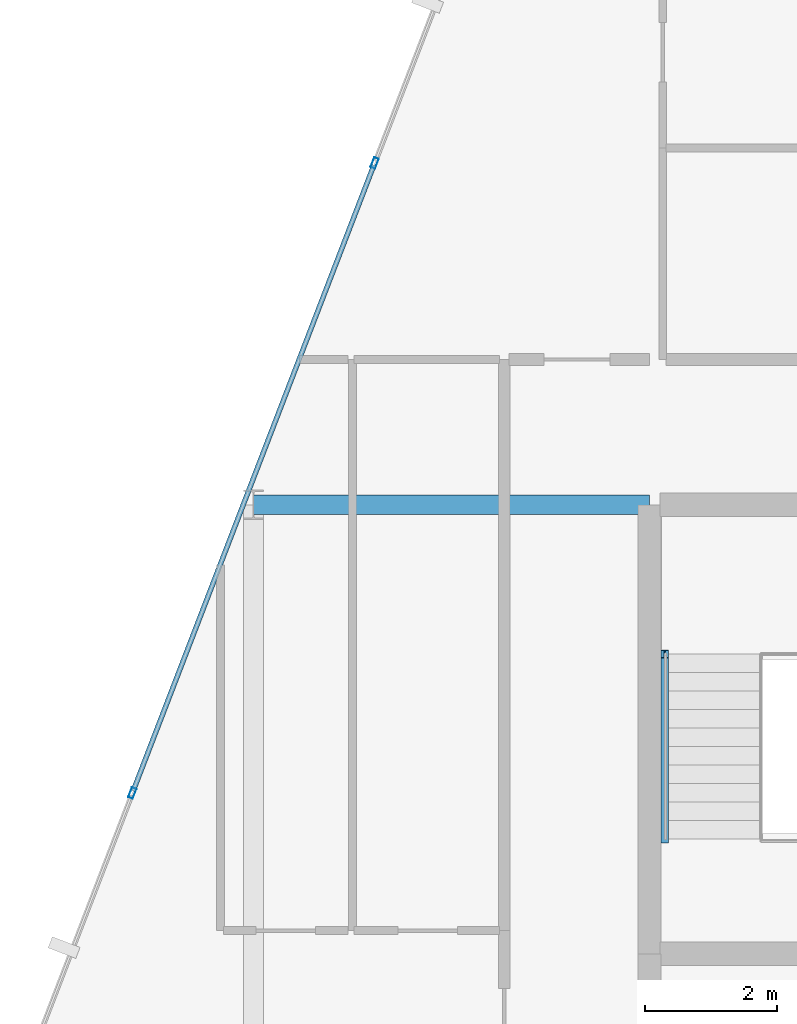
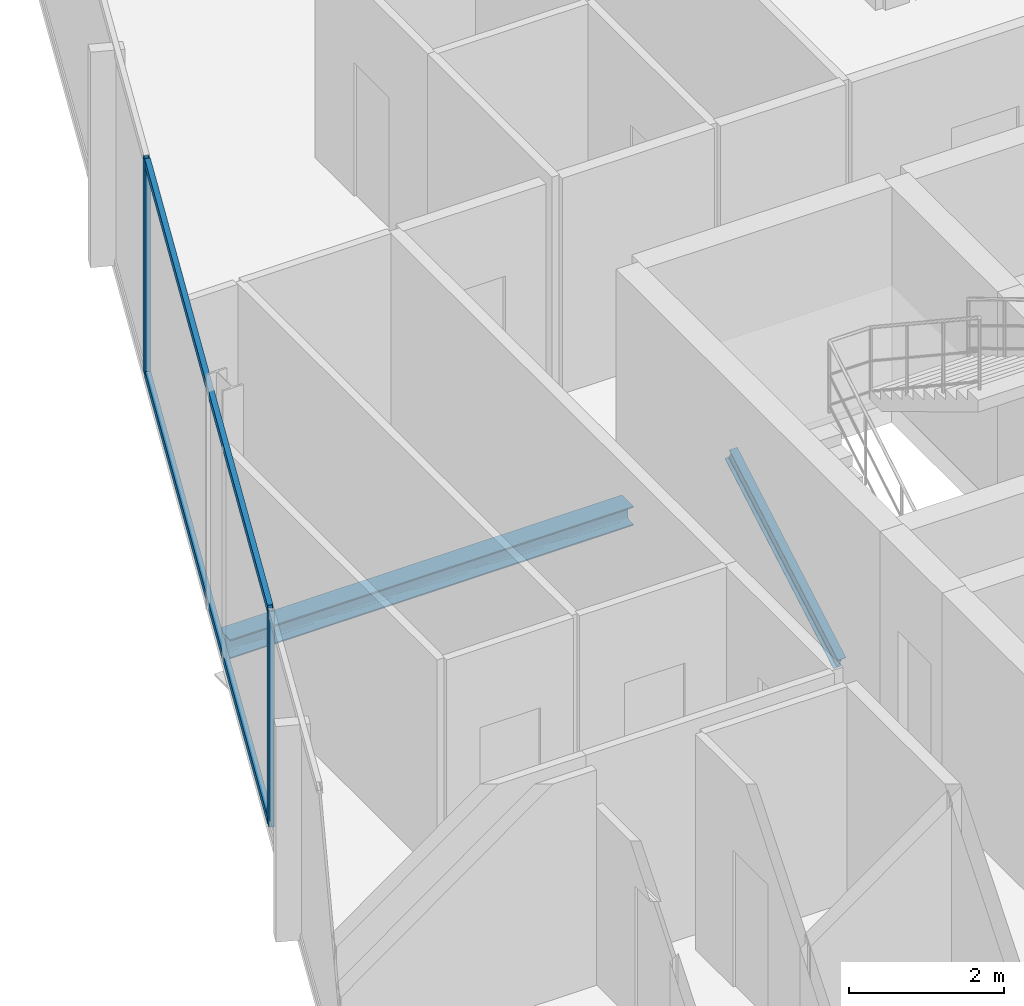
# One storey, part 16 of 29: 5 members, 1 beam, 1 element without a shape of its own.
"""IFC4 building model written with IfcOpenShell, lengths in metres."""

from ifc_helpers import new_model, si_unit, direction, frame, origin, origin_2d, place, context, subcontext, project, spatial, hollow_rectangle, i_section, extrude, material, layer, layer_set, material_profile, profile_set, type_object, element, aggregate, save


model = new_model("IFC4")

# Units and contexts
model_context = context("Model", 3, precision=1e-05, world=origin(), true_north=direction((0.0, 1.0)))
body_context = subcontext(model_context, "Body", "Model", "MODEL_VIEW")
ifc_project = project(units=[si_unit("LENGTHUNIT", "METRE"), si_unit("AREAUNIT", "SQUARE_METRE"), si_unit("VOLUMEUNIT", "CUBIC_METRE"), si_unit("PLANEANGLEUNIT", "RADIAN"), si_unit("MASSUNIT", "GRAM", prefix="KILO")], contexts=[model_context])

# Site, building, storey
site_placement = place(None, origin())
site = spatial("IfcSite", under=ifc_project, at=site_placement, CompositionType="ELEMENT")
building_placement = place(site_placement, origin())
building = spatial("IfcBuilding", under=site, at=building_placement, Name="Keshet Zoharim Tower", CompositionType="ELEMENT")
storey_placement = place(building_placement, frame((0.0, 0.0, 210.60009765625)))
storey = spatial("IfcBuildingStorey", under=building, at=storey_placement, Name="L52", CompositionType="ELEMENT", Elevation=210.60009765625)

# Beam
ifc_material_1 = material(Name="Steel S355", Category="steel")
ifc_material_profile_1 = material_profile(ifc_material_1, i_section(OverallWidth=0.300048828125, OverallDepth=0.300048828125, WebThickness=0.010986328125, FlangeThickness=0.01904296875, FilletRadius=0.027099609375, at=origin_2d()), Name="HEB300")
ifc_profile_set_1 = profile_set([ifc_material_profile_1], Name="Steel S355")
beam_type = type_object("IfcBeamType", Name="BM-PRI-HB300", PredefinedType="BEAM", material=ifc_profile_set_1)
beam_placement = place(storey_placement, frame((9.0, 37.89990234375, -0.460205078125), z_axis=(1.0, 0.0, 0.0), x_axis=(0.0, 1.0, 0.0)))
element("IfcBeam", 1, at=beam_placement, inside=storey, type_object=beam_type, Name="L52 Primary Girder X-017", PredefinedType="BEAM", context=body_context, shape_type="SweptSolid", body=[
    extrude(i_section(OverallWidth=0.300048828125, OverallDepth=0.300048828125, WebThickness=0.010986328125, FlangeThickness=0.01904296875, FilletRadius=0.027099609375, at=origin_2d()), origin(), (0.0, 0.0, 1.0), 6.0),
])

# Curtain wall, members
ifc_material_2 = material(Name="Aluminium 6063-T6", Category="aluminium")
ifc_layer = layer(ifc_material_2, 0.139892578125)
ifc_layer_set = layer_set([ifc_layer], Name="Aluminium 6063-T6")
curtain_wall_type = type_object("IfcCurtainWallType", Name="CW-SYS-05", PredefinedType="NOTDEFINED", material=ifc_layer_set)
curtain_wall_placement = place(storey_placement, origin())
curtain_wall = element("IfcCurtainWall", 2, at=curtain_wall_placement, inside=storey, type_object=curtain_wall_type, Name="L52 Unitised Curtain Wall 13", PredefinedType="NOTDEFINED")
ifc_material_profile_2 = material_profile(ifc_material_2, hollow_rectangle(XDim=0.074951171875, YDim=0.159912109375, WallThickness=0.00390625, at=origin_2d()), Name="MUL-75x160")
ifc_profile_set_2 = profile_set([ifc_material_profile_2], Name="Aluminium 6063-T6")
member_type_1 = type_object("IfcMemberType", Name="CWM-M15", PredefinedType="MULLION", material=ifc_profile_set_2)
member_1_placement = place(storey_placement, frame((7.1669921875, 33.53466796875, 0.0), z_axis=(0.0, 0.0, 1.0), x_axis=(-0.933341404361, 0.358990003907, 0.0)))
member_1 = element("IfcMember", 3, at=member_1_placement, type_object=member_type_1, Name="CW-05 mullion 2", PredefinedType="MULLION", context=body_context, shape_type="SweptSolid", body=[
    extrude(hollow_rectangle(XDim=0.074951171875, YDim=0.159912109375, WallThickness=0.00390625, at=origin_2d()), origin(), (0.0, 0.0, 1.0), 3.389892578125),
])
member_2_placement = place(storey_placement, frame((10.8369140625, 43.076416015625, 0.0), z_axis=(0.0, 0.0, 1.0), x_axis=(-0.933341404361, 0.358990003907, 0.0)))
member_2 = element("IfcMember", 4, at=member_2_placement, type_object=member_type_1, Name="CW-05 mullion 3", PredefinedType="MULLION", context=body_context, shape_type="SweptSolid", body=[
    extrude(hollow_rectangle(XDim=0.074951171875, YDim=0.159912109375, WallThickness=0.00390625, at=origin_2d()), origin(), (0.0, 0.0, 1.0), 3.389892578125),
])
ifc_material_profile_3 = material_profile(ifc_material_2, hollow_rectangle(XDim=0.074951171875, YDim=0.1201171875, WallThickness=0.00390625, at=origin_2d()), Name="TRN-75x120")
ifc_profile_set_3 = profile_set([ifc_material_profile_3], Name="Aluminium 6063-T6")
member_type_2 = type_object("IfcMemberType", Name="CWT-T12", PredefinedType="USERDEFINED", material=ifc_profile_set_3)
member_3_placement = place(storey_placement, frame((7.179443359375, 33.5673828125, 0.034912109375), z_axis=(0.359003248899, 0.933336309848, 0.0), x_axis=(-0.933336309848, 0.359003248899, 0.0)))
member_3 = element("IfcMember", 5, at=member_3_placement, type_object=member_type_2, Name="CW-05 transom 2.1", ObjectType="TRANSOM", PredefinedType="USERDEFINED", context=body_context, shape_type="SweptSolid", body=[
    extrude(hollow_rectangle(XDim=0.074951171875, YDim=0.1201171875, WallThickness=0.00390625, at=origin_2d()), origin(), (0.0, 0.0, 1.0), 10.153076171875),
])
member_4_placement = place(storey_placement, frame((7.179443359375, 33.5673828125, 3.35498046875), z_axis=(0.359003248899, 0.933336309848, 0.0), x_axis=(-0.933336309848, 0.359003248899, 0.0)))
member_4 = element("IfcMember", 6, at=member_4_placement, type_object=member_type_2, Name="CW-05 transom 2.2", ObjectType="TRANSOM", PredefinedType="USERDEFINED", context=body_context, shape_type="SweptSolid", body=[
    extrude(hollow_rectangle(XDim=0.074951171875, YDim=0.1201171875, WallThickness=0.00390625, at=origin_2d()), origin(), (0.0, 0.0, 1.0), 10.153076171875),
])
aggregate(curtain_wall, [member_1, member_2, member_3, member_4])

# Member
ifc_material_profile_4 = material_profile(ifc_material_1, i_section(OverallWidth=0.1201171875, OverallDepth=0.239990234375, WebThickness=0.006103515625, FlangeThickness=0.009765625, FilletRadius=0.014892578125, at=origin_2d()), Name="IPE240")
ifc_profile_set_4 = profile_set([ifc_material_profile_4], Name="Steel S355")
member_type_3 = type_object("IfcMemberType", Name="MB-STRG-IP240", PredefinedType="STRINGER", material=ifc_profile_set_4)
member_5_placement = place(storey_placement, frame((15.22998046875, 32.840087890625, 0.119873046875), z_axis=(0.0, 0.866876903101, 0.498522251129), x_axis=(-1.0, 0.0, 0.0)))
element("IfcMember", 7, at=member_5_placement, inside=storey, type_object=member_type_3, Name="L52 ST-02 Flight Steel Stringer", PredefinedType="STRINGER", context=body_context, shape_type="SweptSolid", body=[
    extrude(i_section(OverallWidth=0.1201171875, OverallDepth=0.239990234375, WebThickness=0.006103515625, FlangeThickness=0.009765625, FilletRadius=0.014892578125, at=origin_2d()), origin(), (0.0, 0.0, 1.0), 3.229736328125),
])

save(model, "model.ifc")
